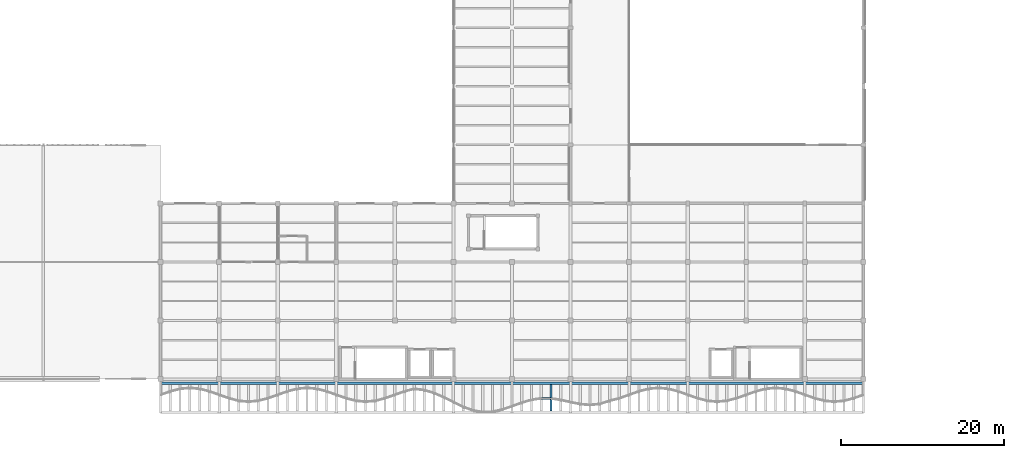
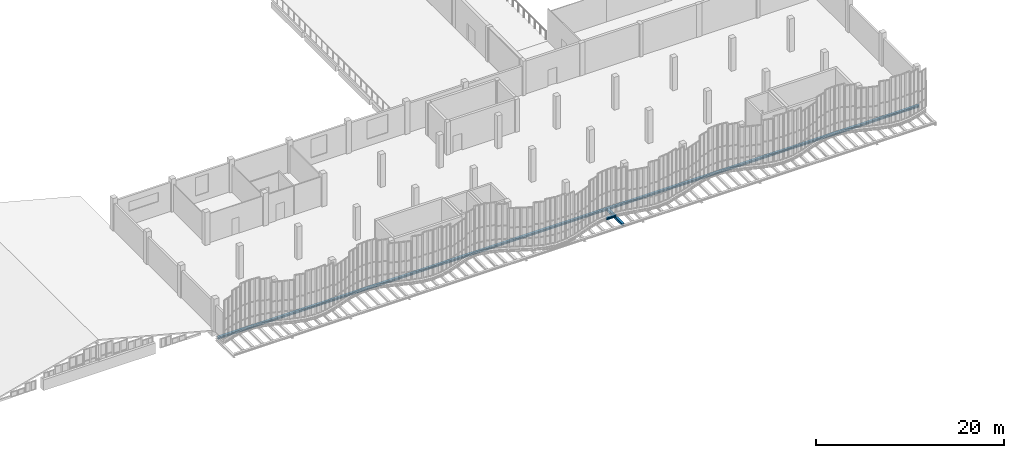
# One storey, part 18 of 76: 3 beams.
"""IFC4 building model written with IfcOpenShell, lengths in metres."""

from ifc_helpers import new_model, si_unit, direction, frame, origin, origin_2d, place, context, subcontext, project, spatial, i_section, extrude, material, material_profile, profile_set, type_object, element, save


model = new_model("IFC4")

# Units and contexts
model_context = context("Model", 3, precision=1e-05, world=origin(), true_north=direction((0.0, 1.0)))
body_context = subcontext(model_context, "Body", "Model", "MODEL_VIEW")
ifc_project = project(units=[si_unit("LENGTHUNIT", "METRE"), si_unit("AREAUNIT", "SQUARE_METRE"), si_unit("VOLUMEUNIT", "CUBIC_METRE"), si_unit("PLANEANGLEUNIT", "RADIAN"), si_unit("MASSUNIT", "GRAM", prefix="KILO"), si_unit("THERMODYNAMICTEMPERATUREUNIT", "KELVIN"), si_unit("POWERUNIT", "WATT")], contexts=[model_context])

# Site, building, storey
site_placement = place(None, origin())
site = spatial("IfcSite", under=ifc_project, at=site_placement, CompositionType="ELEMENT")
building_placement = place(site_placement, origin())
building = spatial("IfcBuilding", under=site, at=building_placement, Name="Kaldorven Railside Theatre", CompositionType="ELEMENT")
storey_placement = place(building_placement, frame((0.0, 0.0, 14.39990234375)))
storey = spatial("IfcBuildingStorey", under=building, at=storey_placement, Name="L03", CompositionType="ELEMENT", Elevation=14.39990234375)

# Beams
ifc_material = material(Name="Steel S355", Category="steel")
ifc_material_profile = material_profile(ifc_material, i_section(OverallWidth=0.280029296875, OverallDepth=0.280029296875, WebThickness=0.010498046875, FlangeThickness=0.01806640625, at=origin_2d()), Name="HEB 280")
ifc_profile_set = profile_set([ifc_material_profile], Name="Steel S355")
beam_type = type_object("IfcBeamType", Name="BM-HEB280", PredefinedType="SPANDREL", material=ifc_profile_set)
beam_1_placement = place(storey_placement, frame((36.800048828125, 18.699951171875, -0.699951171875), z_axis=(1.0, 0.0, 0.0), x_axis=(0.0, 1.0, 0.0)))
element("IfcBeam", 1, at=beam_1_placement, inside=storey, type_object=beam_type, Name="L03 Sinusoidal In Collector Girder FOB-T039", PredefinedType="SPANDREL", context=body_context, shape_type="SweptSolid", body=[
    extrude(i_section(OverallWidth=0.280029296875, OverallDepth=0.280029296875, WebThickness=0.010498046875, FlangeThickness=0.01806640625, at=origin_2d()), origin(), (0.0, 0.0, 1.0), 86.39990234375),
])
beam_2_placement = place(storey_placement, frame((83.614990234375, 16.821044921875, -0.419921875), z_axis=(0.999902271255, -0.013980269652, 0.0), x_axis=(0.013980269652, 0.999902271255, 0.0)))
element("IfcBeam", 2, at=beam_2_placement, inside=storey, type_object=beam_type, Name="L03 Sinusoidal Flute Edge Spandrel FSB-184", PredefinedType="SPANDREL", context=body_context, shape_type="SweptSolid", body=[
    extrude(i_section(OverallWidth=0.280029296875, OverallDepth=0.280029296875, WebThickness=0.010498046875, FlangeThickness=0.01806640625, at=origin_2d()), origin(), (0.0, 0.0, 1.0), 1.169921875),
])
beam_3_placement = place(storey_placement, frame((84.800048828125, 15.260009765625, -0.699951171875), z_axis=(0.0, 1.0, 0.0), x_axis=(-1.0, 0.0, 0.0)))
element("IfcBeam", 3, at=beam_3_placement, inside=storey, type_object=beam_type, Name="L03 Sinusoidal Diaphragm Rib Outrigger FOB-M185", PredefinedType="SPANDREL", context=body_context, shape_type="SweptSolid", body=[
    extrude(i_section(OverallWidth=0.280029296875, OverallDepth=0.280029296875, WebThickness=0.010498046875, FlangeThickness=0.01806640625, at=origin_2d()), origin(), (0.0, 0.0, 1.0), 3.280029296875),
])

save(model, "model.ifc")
